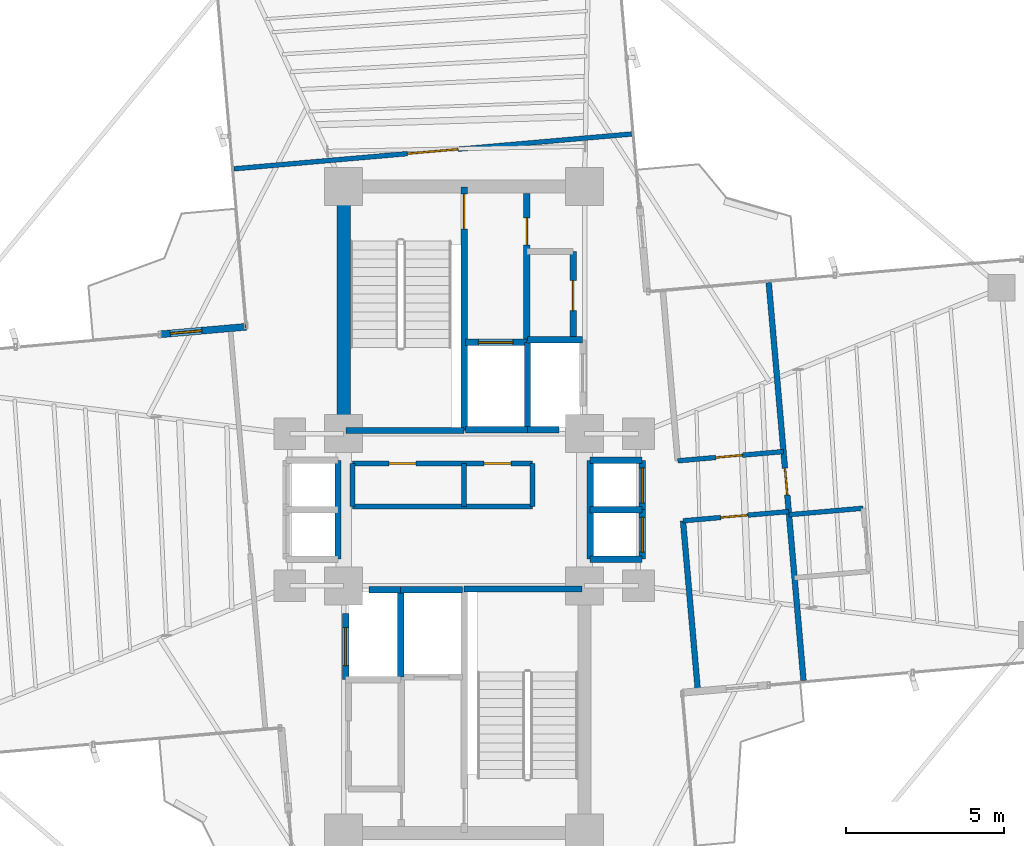
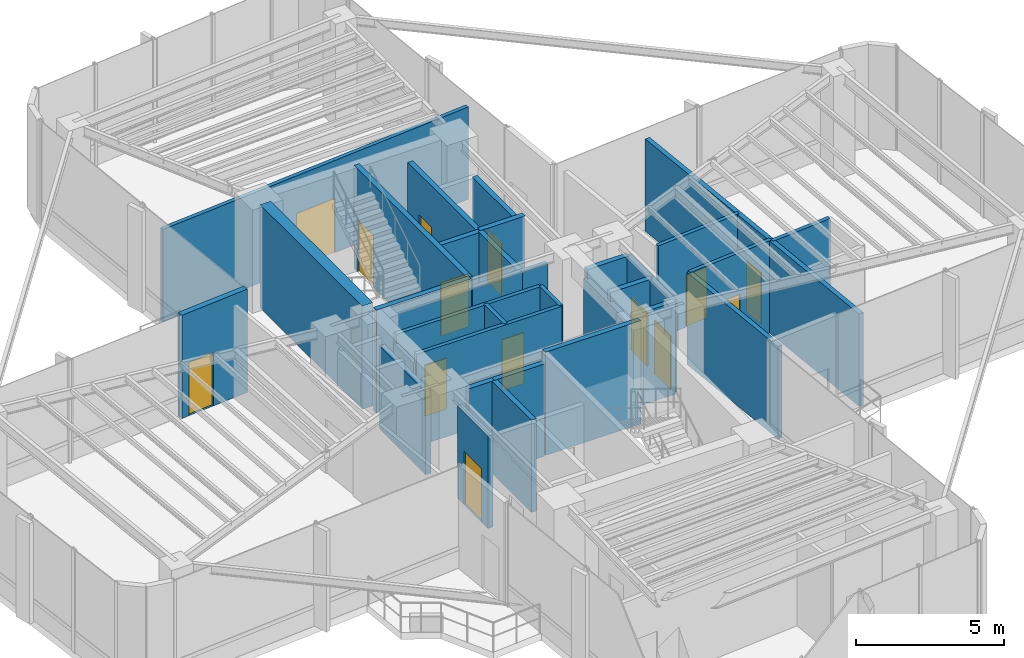
# One storey, part 17 of 19: 34 walls, 14 doors, 14 openings.
"""IFC4 building model written with IfcOpenShell, lengths in metres."""

from ifc_helpers import new_model, si_unit, direction, frame, frame_2d, origin, origin_2d, place, context, subcontext, project, spatial, rectangle, extrude, source, transform, mapped, material, layer, layer_set, type_object, element, fill, save


model = new_model("IFC4")

# Units and contexts
model_context = context("Model", 3, precision=1e-05, world=origin(), true_north=direction((0.0, 1.0)))
body_context = subcontext(model_context, "Body", "Model", "MODEL_VIEW")
ifc_project = project(units=[si_unit("LENGTHUNIT", "METRE"), si_unit("AREAUNIT", "SQUARE_METRE"), si_unit("VOLUMEUNIT", "CUBIC_METRE"), si_unit("PLANEANGLEUNIT", "RADIAN"), si_unit("MASSUNIT", "GRAM", prefix="KILO")], contexts=[model_context])

# Site, building, storey
site_placement = place(None, origin())
site = spatial("IfcSite", under=ifc_project, at=site_placement, CompositionType="ELEMENT")
building_placement = place(site_placement, origin())
building = spatial("IfcBuilding", under=site, at=building_placement, Name="Sahyath Konkavel Grand Hotel", CompositionType="ELEMENT")
storey_placement = place(building_placement, frame((0.0, 0.0, 170.699951171875)))
storey = spatial("IfcBuildingStorey", under=building, at=storey_placement, Name="L47", CompositionType="ELEMENT", Elevation=170.699951171875)

# Wall
ifc_material_1 = material(Name="Concrete C50/60", Category="concrete")
ifc_layer_1 = layer(ifc_material_1, 0.419921875)
ifc_layer_set_1 = layer_set([ifc_layer_1], Name="Concrete C50/60")
wall_type_1 = type_object("IfcWallType", Name="CWALL-420", PredefinedType="SHEAR", material=ifc_layer_set_1)
wall_1_placement = place(storey_placement, frame((-3.800048828125, 2.85009765625, 0.0), z_axis=(0.0, 0.0, 1.0), x_axis=(0.0, 1.0, 0.0)))
element("IfcWall", 1, at=wall_1_placement, inside=storey, type_object=wall_type_1, Name="L47 North Core Shear Wall W", PredefinedType="SHEAR", context=body_context, shape_type="SweptSolid", body=[
    extrude(rectangle(XDim=6.89990234375, YDim=0.419921875, at=frame_2d((3.449951171875, 0.0))), origin(), (0.0, 0.0, 1.0), 4.260009765625),
])

# Wall, opening, door
ifc_material_2 = material(Name="Warm Buff Sandstone Insulated Concrete C40/50", Category="masonry")
ifc_layer_2 = layer(ifc_material_2, 0.219970703125)
ifc_layer_set_2 = layer_set([ifc_layer_2], Name="Warm Buff Sandstone Insulated Concrete C40/50")
wall_type_2 = type_object("IfcWallType", Name="WLL-BALC-THRESH", PredefinedType="STANDARD", material=ifc_layer_set_2)
wall_2_placement = place(storey_placement, frame((-6.87939453125, 5.7724609375, 0.0), z_axis=(0.0, 0.0, 1.0), x_axis=(-0.996193619346, -0.087168071984, 0.0)))
wall_2 = element("IfcWall", 2, at=wall_2_placement, inside=storey, type_object=wall_type_2, Name="L47 Winter-Garden Threshold Wall 16", PredefinedType="STANDARD", context=body_context, shape_type="SweptSolid", body=[
    extrude(rectangle(XDim=2.699951171875, YDim=0.219970703125, at=frame_2d((1.35009765625, 0.0))), origin(), (0.0, 0.0, 1.0), 4.260009765625),
])
opening_1_placement = place(wall_2_placement, frame((1.39990234375, 0.0, 0.0)))
opening_1 = element("IfcOpeningElement", 3, at=opening_1_placement, cuts=wall_2, Name="Opening D-TR1", PredefinedType="OPENING", context=body_context, shape_type="SweptSolid", body=[
    extrude(rectangle(XDim=1.0, YDim=2.199951171875, at=frame_2d((0.5, 1.10009765625))), frame((0.0, 0.1201171875, 0.0), z_axis=(0.0, -1.0, 0.0), x_axis=(1.0, 0.0, 0.0)), (0.0, 0.0, 1.0), 0.239990234375),
])
ifc_material_3 = material(Name="Anodised Bronze Aluminium & Low-E Glazing", Category="aluminium")
door_type_1 = type_object("IfcDoorType", Name="DR-TERRACE-1000", OperationType="NOTDEFINED", PredefinedType="DOOR", material=ifc_material_3)
shared_shape_1 = source(origin(), body_context, "Body", "SweptSolid", [
    extrude(rectangle(XDim=1.0, YDim=0.050048828125, at=origin_2d()), origin(), (0.0, 0.0, 1.0), 2.199951171875),
])
door_1_placement = place(opening_1_placement, frame((0.5, 0.0, 0.0)))
door_1 = element("IfcDoor", 4, at=door_1_placement, inside=storey, type_object=door_type_1, Name="L47 Winter-Garden Terrace Door 16", OperationType="SINGLE_SWING_LEFT", OverallHeight=2.199951171875, OverallWidth=1.0, PredefinedType="DOOR", context=body_context, shape_type="MappedRepresentation", body=[
    mapped(shared_shape_1, transform((0.0, 0.0, 0.0), scale=1.0)),
])
fill(opening_1, door_1)

ifc_material_4 = material(Name="Concrete C40/50", Category="concrete")
ifc_layer_3 = layer(ifc_material_4, 0.199951171875)
ifc_layer_set_3 = layer_set([ifc_layer_3], Name="Concrete C40/50")
wall_type_3 = type_object("IfcWallType", Name="WLL-CORE-200", PredefinedType="SOLIDWALL", material=ifc_layer_set_3)
wall_3_placement = place(storey_placement, frame((0.0, 2.5, 0.0), z_axis=(0.0, 0.0, 1.0), x_axis=(0.0, 1.0, 0.0)))
wall_3 = element("IfcWall", 5, at=wall_3_placement, inside=storey, type_object=wall_type_3, Name="L47 Stair ST-1 Shaft Wall E", PredefinedType="SOLIDWALL", context=body_context, shape_type="SweptSolid", body=[
    extrude(rectangle(XDim=7.679931640625, YDim=0.199951171875, at=frame_2d((3.83984375, 0.0))), origin(), (0.0, 0.0, 1.0), 4.260009765625),
])
opening_2_placement = place(wall_3_placement, frame((6.360107421875, 0.0, 0.0)))
opening_2 = element("IfcOpeningElement", 6, at=opening_2_placement, cuts=wall_3, Name="Opening D-F12B", PredefinedType="OPENING", context=body_context, shape_type="SweptSolid", body=[
    extrude(rectangle(XDim=1.10009765625, YDim=2.14990234375, at=frame_2d((0.550048828125, 1.074951171875))), frame((0.0, 0.10986328125, 0.0), z_axis=(0.0, -1.0, 0.0), x_axis=(1.0, 0.0, 0.0)), (0.0, 0.0, 1.0), 0.219970703125),
])
ifc_material_5 = material(Name="Steel E350 Smokeproof Fire Door", Category="steel")
door_type_2 = type_object("IfcDoorType", Name="DR-FD120-1100", OperationType="NOTDEFINED", PredefinedType="DOOR", material=ifc_material_5)
shared_shape_2 = source(origin(), body_context, "Body", "SweptSolid", [
    extrude(rectangle(XDim=1.10009765625, YDim=0.050048828125, at=origin_2d()), origin(), (0.0, 0.0, 1.0), 2.14990234375),
])
door_2_placement = place(opening_2_placement, frame((0.550048828125, 0.0, 0.0)))
door_2 = element("IfcDoor", 7, at=door_2_placement, inside=storey, type_object=door_type_2, Name="L47 Stair ST-1 Fire Door", OperationType="SINGLE_SWING_LEFT", OverallHeight=2.14990234375, OverallWidth=1.10009765625, PredefinedType="DOOR", context=body_context, shape_type="MappedRepresentation", body=[
    mapped(shared_shape_2, transform((0.0, 0.0, 0.0), scale=1.0)),
])
fill(opening_2, door_2)

# Walls
for number, where, z_axis, x_axis, name in (
    (8, (-3.719970703125, 2.5, 0.0), (0.0, 0.0, 1.0), (1.0, 0.0, 0.0), "L47 Stair ST-1 Shaft Wall S"),
    (9, (0.0, -2.5, 0.0), (0.0, 0.0, 1.0), (1.0, 0.0, 0.0), "L47 Stair ST-2 Shaft Wall N"),
):
    element("IfcWall", number, at=place(storey_placement, frame(where, z_axis=z_axis, x_axis=x_axis)), inside=storey, type_object=wall_type_3, Name=name, PredefinedType="SOLIDWALL", context=body_context, shape_type="SweptSolid", body=[
        extrude(rectangle(XDim=3.719970703125, YDim=0.199951171875, at=frame_2d((1.85986328125, 0.0))), origin(), (0.0, 0.0, 1.0), 4.260009765625),
    ])

# Wall, opening, door
wall_4_placement = place(storey_placement, frame((1.97998046875, 5.320068359375, 0.0), z_axis=(0.0, 0.0, 1.0), x_axis=(0.0, 1.0, 0.0)))
wall_4 = element("IfcWall", 10, at=wall_4_placement, inside=storey, type_object=wall_type_3, Name="L47 North Firefighting Lobby Wall E", PredefinedType="SOLIDWALL", context=body_context, shape_type="SweptSolid", body=[
    extrude(rectangle(XDim=4.659912109375, YDim=0.199951171875, at=frame_2d((2.330078125, 0.0))), origin(), (0.0, 0.0, 1.0), 3.81005859375),
])
opening_3_placement = place(wall_4_placement, frame((3.0400390625, 0.0, 0.0)))
opening_3 = element("IfcOpeningElement", 11, at=opening_3_placement, cuts=wall_4, Name="Opening D-F12D", PredefinedType="OPENING", context=body_context, shape_type="SweptSolid", body=[
    extrude(rectangle(XDim=0.85009765625, YDim=2.10009765625, at=frame_2d((0.425048828125, 1.050048828125))), frame((0.0, 0.10986328125, 0.0), z_axis=(0.0, -1.0, 0.0), x_axis=(1.0, 0.0, 0.0)), (0.0, 0.0, 1.0), 0.219970703125),
])
ifc_material_6 = material(Name="Steel E350 Core Fire Door", Category="steel")
door_type_3 = type_object("IfcDoorType", Name="DR-FD120-850", OperationType="NOTDEFINED", PredefinedType="DOOR", material=ifc_material_6)
shared_shape_3 = source(origin(), body_context, "Body", "SweptSolid", [
    extrude(rectangle(XDim=0.85009765625, YDim=0.050048828125, at=origin_2d()), origin(), (0.0, 0.0, 1.0), 2.10009765625),
])
door_3_placement = place(opening_3_placement, frame((0.425048828125, 0.0, 0.0)))
door_3 = element("IfcDoor", 12, at=door_3_placement, inside=storey, type_object=door_type_3, Name="L47 North Firefighting Lobby Door", OperationType="SINGLE_SWING_LEFT", OverallHeight=2.10009765625, OverallWidth=0.85009765625, PredefinedType="DOOR", context=body_context, shape_type="MappedRepresentation", body=[
    mapped(shared_shape_3, transform((0.0, 0.0, 0.0), scale=1.0)),
])
fill(opening_3, door_3)

# Walls
wall_5_placement = place(storey_placement, frame((2.0, 2.5, 0.0), z_axis=(0.0, 0.0, 1.0), x_axis=(0.0, 1.0, 0.0)))
element("IfcWall", 13, at=wall_5_placement, inside=storey, type_object=wall_type_3, Name="L47 Partition SH-FFL1-E", PredefinedType="SOLIDWALL", context=body_context, shape_type="SweptSolid", body=[
    extrude(rectangle(XDim=2.780029296875, YDim=0.199951171875, at=frame_2d((1.39013671875, 0.0))), origin(), (0.0, 0.0, 1.0), 3.81005859375),
])
wall_6_placement = place(storey_placement, frame((0.050048828125, 2.52001953125, 0.0), z_axis=(0.0, 0.0, 1.0), x_axis=(1.0, 0.0, 0.0)))
element("IfcWall", 14, at=wall_6_placement, inside=storey, type_object=wall_type_3, Name="L47 Partition SH-FFL1-S", PredefinedType="SOLIDWALL", context=body_context, shape_type="SweptSolid", body=[
    extrude(rectangle(XDim=1.949951171875, YDim=0.199951171875, at=frame_2d((0.97509765625, 0.0))), origin(), (0.0, 0.0, 1.0), 3.81005859375),
])

# Wall, opening, door
wall_7_placement = place(storey_placement, frame((0.050048828125, 5.280029296875, 0.0), z_axis=(0.0, 0.0, 1.0), x_axis=(1.0, 0.0, 0.0)))
wall_7 = element("IfcWall", 15, at=wall_7_placement, inside=storey, type_object=wall_type_3, Name="L47 Partition SH-FFL1-N", PredefinedType="SOLIDWALL", context=body_context, shape_type="SweptSolid", body=[
    extrude(rectangle(XDim=1.929931640625, YDim=0.199951171875, at=frame_2d((0.96484375, 0.0))), origin(), (0.0, 0.0, 1.0), 3.81005859375),
])
opening_4_placement = place(wall_7_placement, frame((0.39990234375, 0.0, 0.0)))
opening_4 = element("IfcOpeningElement", 16, at=opening_4_placement, cuts=wall_7, Name="Opening LD-11", PredefinedType="OPENING", context=body_context, shape_type="SweptSolid", body=[
    extrude(rectangle(XDim=1.10009765625, YDim=2.199951171875, at=frame_2d((0.550048828125, 1.10009765625))), frame((0.0, 0.10986328125, 0.0), z_axis=(0.0, -1.0, 0.0), x_axis=(1.0, 0.0, 0.0)), (0.0, 0.0, 1.0), 0.219970703125),
])
ifc_material_7 = material(Name="Bronze Lift Landing Door 1100")
door_type_4 = type_object("IfcDoorType", Name="DR-LIFT-1100", OperationType="DOUBLE_DOOR_SLIDING", PredefinedType="DOOR", material=ifc_material_7)
shared_shape_4 = source(origin(), body_context, "Body", "SweptSolid", [
    extrude(rectangle(XDim=1.10009765625, YDim=0.050048828125, at=origin_2d()), origin(), (0.0, 0.0, 1.0), 2.199951171875),
])
door_4_placement = place(opening_4_placement, frame((0.550048828125, 0.0, 0.0)))
door_4 = element("IfcDoor", 17, at=door_4_placement, inside=storey, type_object=door_type_4, Name="L47 Lift FFL-1 Landing Door", OperationType="DOUBLE_DOOR_SLIDING", OverallHeight=2.199951171875, OverallWidth=1.10009765625, PredefinedType="DOOR", context=body_context, shape_type="MappedRepresentation", body=[
    mapped(shared_shape_4, transform((0.0, 0.0, 0.0), scale=1.0)),
])
fill(opening_4, door_4)

# Walls
wall_8_placement = place(storey_placement, frame((-2.0, -5.280029296875, 0.0), z_axis=(0.0, 0.0, 1.0), x_axis=(0.0, 1.0, 0.0)))
element("IfcWall", 18, at=wall_8_placement, inside=storey, type_object=wall_type_3, Name="L47 Partition SH-FFL2-W", PredefinedType="SOLIDWALL", context=body_context, shape_type="SweptSolid", body=[
    extrude(rectangle(XDim=2.780029296875, YDim=0.199951171875, at=frame_2d((1.39013671875, 0.0))), origin(), (0.0, 0.0, 1.0), 3.81005859375),
])
wall_9_placement = place(storey_placement, frame((-2.0, -2.52001953125, 0.0), z_axis=(0.0, 0.0, 1.0), x_axis=(1.0, 0.0, 0.0)))
element("IfcWall", 19, at=wall_9_placement, inside=storey, type_object=wall_type_3, Name="L47 Partition SH-FFL2-N", PredefinedType="SOLIDWALL", context=body_context, shape_type="SweptSolid", body=[
    extrude(rectangle(XDim=1.949951171875, YDim=0.199951171875, at=frame_2d((0.97509765625, 0.0))), origin(), (0.0, 0.0, 1.0), 3.81005859375),
])
wall_10_placement = place(storey_placement, frame((2.0, 2.52001953125, 0.0), z_axis=(0.0, 0.0, 1.0), x_axis=(1.0, 0.0, 0.0)))
element("IfcWall", 20, at=wall_10_placement, inside=storey, type_object=wall_type_3, Name="L47 Partition SH-SVL1-S", PredefinedType="SOLIDWALL", context=body_context, shape_type="SweptSolid", body=[
    extrude(rectangle(XDim=1.0, YDim=0.199951171875, at=frame_2d((0.5, 0.0))), origin(), (0.0, 0.0, 1.0), 3.81005859375),
])
wall_11_placement = place(storey_placement, frame((2.0, 5.360107421875, 0.0), z_axis=(0.0, 0.0, 1.0), x_axis=(1.0, 0.0, 0.0)))
element("IfcWall", 21, at=wall_11_placement, inside=storey, type_object=wall_type_3, Name="L47 Partition SH-SVL1-N", PredefinedType="SOLIDWALL", context=body_context, shape_type="SweptSolid", body=[
    extrude(rectangle(XDim=1.739990234375, YDim=0.199951171875, at=frame_2d((0.8701171875, 0.0))), origin(), (0.0, 0.0, 1.0), 3.81005859375),
])
wall_12_placement = place(storey_placement, frame((-3.0, -2.52001953125, 0.0), z_axis=(0.0, 0.0, 1.0), x_axis=(1.0, 0.0, 0.0)))
element("IfcWall", 22, at=wall_12_placement, inside=storey, type_object=wall_type_3, Name="L47 Partition SH-SVL2-N", PredefinedType="SOLIDWALL", context=body_context, shape_type="SweptSolid", body=[
    extrude(rectangle(XDim=1.0, YDim=0.199951171875, at=frame_2d((0.5, 0.0))), origin(), (0.0, 0.0, 1.0), 3.81005859375),
])

# Wall, opening, door
wall_13_placement = place(storey_placement, frame((-3.739990234375, -5.360107421875, 0.0), z_axis=(0.0, 0.0, 1.0), x_axis=(0.0, 1.0, 0.0)))
wall_13 = element("IfcWall", 23, at=wall_13_placement, inside=storey, type_object=wall_type_3, Name="L47 Partition SH-SVL2-W", PredefinedType="SOLIDWALL", context=body_context, shape_type="SweptSolid", body=[
    extrude(rectangle(XDim=2.080078125, YDim=0.199951171875, at=frame_2d((1.0400390625, 0.0))), origin(), (0.0, 0.0, 1.0), 3.81005859375),
])
opening_5_placement = place(wall_13_placement, frame((0.43994140625, 0.0, 0.0)))
opening_5 = element("IfcOpeningElement", 24, at=opening_5_placement, cuts=wall_13, Name="Opening LD-12", PredefinedType="OPENING", context=body_context, shape_type="SweptSolid", body=[
    extrude(rectangle(XDim=1.199951171875, YDim=2.199951171875, at=frame_2d((0.60009765625, 1.10009765625))), frame((0.0, 0.10986328125, 0.0), z_axis=(0.0, -1.0, 0.0), x_axis=(1.0, 0.0, 0.0)), (0.0, 0.0, 1.0), 0.219970703125),
])
ifc_material_8 = material(Name="Stainless Steel Lift Landing Door 1200", Category="steel")
door_type_5 = type_object("IfcDoorType", Name="DR-LIFT-1200", OperationType="DOUBLE_DOOR_SLIDING", PredefinedType="DOOR", material=ifc_material_8)
shared_shape_5 = source(origin(), body_context, "Body", "SweptSolid", [
    extrude(rectangle(XDim=1.199951171875, YDim=0.050048828125, at=origin_2d()), origin(), (0.0, 0.0, 1.0), 2.199951171875),
])
door_5_placement = place(opening_5_placement, frame((0.60009765625, 0.0, 0.0)))
door_5 = element("IfcDoor", 25, at=door_5_placement, inside=storey, type_object=door_type_5, Name="L47 Service Lift SVL-2 Landing Door", OperationType="DOUBLE_DOOR_SLIDING", OverallHeight=2.199951171875, OverallWidth=1.199951171875, PredefinedType="DOOR", context=body_context, shape_type="MappedRepresentation", body=[
    mapped(shared_shape_5, transform((0.0, 0.0, 0.0), scale=1.0)),
])
fill(opening_5, door_5)

# Walls
wall_14_placement = place(storey_placement, frame((3.97998046875, -1.56005859375, 0.0), z_axis=(0.0, 0.0, 1.0), x_axis=(0.0, 1.0, 0.0)))
element("IfcWall", 26, at=wall_14_placement, inside=storey, type_object=wall_type_3, Name="L47 Partition SH-PL56-W", PredefinedType="SOLIDWALL", context=body_context, shape_type="SweptSolid", body=[
    extrude(rectangle(XDim=3.1201171875, YDim=0.199951171875, at=frame_2d((1.56005859375, 0.0))), origin(), (0.0, 0.0, 1.0), 3.429931640625),
])
for number, where, z_axis, x_axis, name in (
    (27, (3.97998046875, 1.56005859375, 0.0), (0.0, 0.0, 1.0), (1.0, 0.0, 0.0), "L47 Partition SH-PL56-N"),
    (28, (3.97998046875, -1.56005859375, 0.0), (0.0, 0.0, 1.0), (1.0, 0.0, 0.0), "L47 Partition SH-PL56-S"),
    (29, (3.97998046875, 0.0, 0.0), (0.0, 0.0, 1.0), (1.0, 0.0, 0.0), "L47 Partition SH-PL56-M"),
):
    element("IfcWall", number, at=place(storey_placement, frame(where, z_axis=z_axis, x_axis=x_axis)), inside=storey, type_object=wall_type_3, Name=name, PredefinedType="SOLIDWALL", context=body_context, shape_type="SweptSolid", body=[
        extrude(rectangle(XDim=1.64013671875, YDim=0.199951171875, at=frame_2d((0.820068359375, 0.0))), origin(), (0.0, 0.0, 1.0), 3.81005859375),
    ])

# Wall, opening, door
wall_15_placement = place(storey_placement, frame((5.6201171875, 0.0, 0.0), z_axis=(0.0, 0.0, 1.0), x_axis=(0.0, 1.0, 0.0)))
wall_15 = element("IfcWall", 30, at=wall_15_placement, inside=storey, type_object=wall_type_3, Name="L47 Partition SH-PL5-E", PredefinedType="SOLIDWALL", context=body_context, shape_type="SweptSolid", body=[
    extrude(rectangle(XDim=1.56005859375, YDim=0.199951171875, at=frame_2d((0.780029296875, 0.0))), origin(), (0.0, 0.0, 1.0), 3.81005859375),
])
opening_6_placement = place(wall_15_placement, frame((0.219970703125, 0.0, 0.0)))
opening_6 = element("IfcOpeningElement", 31, at=opening_6_placement, cuts=wall_15, Name="Opening LD-11", PredefinedType="OPENING", context=body_context, shape_type="SweptSolid", body=[
    extrude(rectangle(XDim=1.10009765625, YDim=2.199951171875, at=frame_2d((0.550048828125, 1.10009765625))), frame((0.0, 0.10986328125, 0.0), z_axis=(0.0, -1.0, 0.0), x_axis=(1.0, 0.0, 0.0)), (0.0, 0.0, 1.0), 0.219970703125),
])
door_6_placement = place(opening_6_placement, frame((0.550048828125, 0.0, 0.0)))
door_6 = element("IfcDoor", 32, at=door_6_placement, inside=storey, type_object=door_type_4, Name="L47 High-Rise Lift PL-5 Landing Door", OperationType="DOUBLE_DOOR_SLIDING", OverallHeight=2.199951171875, OverallWidth=1.10009765625, PredefinedType="DOOR", context=body_context, shape_type="MappedRepresentation", body=[
    mapped(shared_shape_4, transform((0.0, 0.0, 0.0), scale=1.0)),
])
fill(opening_6, door_6)

wall_16_placement = place(storey_placement, frame((5.6201171875, -1.56005859375, 0.0), z_axis=(0.0, 0.0, 1.0), x_axis=(0.0, 1.0, 0.0)))
wall_16 = element("IfcWall", 33, at=wall_16_placement, inside=storey, type_object=wall_type_3, Name="L47 Partition SH-PL6-E", PredefinedType="SOLIDWALL", context=body_context, shape_type="SweptSolid", body=[
    extrude(rectangle(XDim=1.56005859375, YDim=0.199951171875, at=frame_2d((0.780029296875, 0.0))), origin(), (0.0, 0.0, 1.0), 3.81005859375),
])
opening_7_placement = place(wall_16_placement, frame((0.219970703125, 0.0, 0.0)))
opening_7 = element("IfcOpeningElement", 34, at=opening_7_placement, cuts=wall_16, Name="Opening LD-11", PredefinedType="OPENING", context=body_context, shape_type="SweptSolid", body=[
    extrude(rectangle(XDim=1.10009765625, YDim=2.199951171875, at=frame_2d((0.550048828125, 1.10009765625))), frame((0.0, 0.10986328125, 0.0), z_axis=(0.0, -1.0, 0.0), x_axis=(1.0, 0.0, 0.0)), (0.0, 0.0, 1.0), 0.219970703125),
])
door_7_placement = place(opening_7_placement, frame((0.550048828125, 0.0, 0.0)))
door_7 = element("IfcDoor", 35, at=door_7_placement, inside=storey, type_object=door_type_4, Name="L47 High-Rise Lift PL-6 Landing Door", OperationType="DOUBLE_DOOR_SLIDING", OverallHeight=2.199951171875, OverallWidth=1.10009765625, PredefinedType="DOOR", context=body_context, shape_type="MappedRepresentation", body=[
    mapped(shared_shape_4, transform((0.0, 0.0, 0.0), scale=1.0)),
])
fill(opening_7, door_7)

# Wall
wall_17_placement = place(storey_placement, frame((-3.97998046875, -1.56005859375, 0.0), z_axis=(0.0, 0.0, 1.0), x_axis=(0.0, 1.0, 0.0)))
element("IfcWall", 36, at=wall_17_placement, inside=storey, type_object=wall_type_3, Name="L47 Partition SH-SL12-E", PredefinedType="SOLIDWALL", context=body_context, shape_type="SweptSolid", body=[
    extrude(rectangle(XDim=3.1201171875, YDim=0.199951171875, at=frame_2d((1.56005859375, 0.0))), origin(), (0.0, 0.0, 1.0), 3.429931640625),
])

# Wall, opening, door
wall_18_placement = place(storey_placement, frame((3.43994140625, 5.3798828125, 0.0), z_axis=(0.0, 0.0, 1.0), x_axis=(0.0, 1.0, 0.0)))
wall_18 = element("IfcWall", 37, at=wall_18_placement, inside=storey, type_object=wall_type_3, Name="L47 Reclaimed North Core Wall E", PredefinedType="SOLIDWALL", context=body_context, shape_type="SweptSolid", body=[
    extrude(rectangle(XDim=2.77001953125, YDim=0.199951171875, at=frame_2d((1.385009765625, 0.0))), origin(), (0.0, 0.0, 1.0), 3.81005859375),
])
opening_8_placement = place(wall_18_placement, frame((0.89990234375, 0.0, 0.0)))
opening_8 = element("IfcOpeningElement", 38, at=opening_8_placement, cuts=wall_18, Name="Opening D-F06B", PredefinedType="OPENING", context=body_context, shape_type="SweptSolid", body=[
    extrude(rectangle(XDim=0.949951171875, YDim=2.14990234375, at=frame_2d((0.47509765625, 1.074951171875))), frame((0.0, 0.10986328125, 0.0), z_axis=(0.0, -1.0, 0.0), x_axis=(1.0, 0.0, 0.0)), (0.0, 0.0, 1.0), 0.219970703125),
])
ifc_material_9 = material(Name="Teak Veneer Fire-Rated Guest Entrance Door")
door_type_6 = type_object("IfcDoorType", Name="DR-FD60-950", OperationType="NOTDEFINED", PredefinedType="DOOR", material=ifc_material_9)
shared_shape_6 = source(origin(), body_context, "Body", "SweptSolid", [
    extrude(rectangle(XDim=0.949951171875, YDim=0.050048828125, at=origin_2d()), origin(), (0.0, 0.0, 1.0), 2.14990234375),
])
door_8_placement = place(opening_8_placement, frame((0.47509765625, 0.0, 0.0)))
door_8 = element("IfcDoor", 39, at=door_8_placement, inside=storey, type_object=door_type_6, Name="L47 Door NC-REC1-D", OperationType="SINGLE_SWING_LEFT", OverallHeight=2.14990234375, OverallWidth=0.949951171875, PredefinedType="DOOR", context=body_context, shape_type="MappedRepresentation", body=[
    mapped(shared_shape_6, transform((0.0, 0.0, 0.0), scale=1.0)),
])
fill(opening_8, door_8)

# Wall
ifc_material_10 = material(Name="Twin-Stud Acoustic Gypsum Plasterboard Partition")
ifc_layer_4 = layer(ifc_material_10, 0.179931640625)
ifc_layer_set_4 = layer_set([ifc_layer_4], Name="Twin-Stud Acoustic Gypsum Plasterboard Partition")
wall_type_4 = type_object("IfcWallType", Name="WLL-DEMISE-180", PredefinedType="PARTITIONING", material=ifc_layer_set_4)
wall_19_placement = place(storey_placement, frame((7.373046875, -5.678955078125, 0.0), z_axis=(0.0, 0.0, 1.0), x_axis=(-0.087161289348, 0.996194212812, 0.0)))
element("IfcWall", 40, at=wall_19_placement, inside=storey, type_object=wall_type_4, Name="L47 Partition E-INR", PredefinedType="PARTITIONING", context=body_context, shape_type="SweptSolid", body=[
    extrude(rectangle(XDim=5.349853515625, YDim=0.179931640625, at=frame_2d((2.6748046875, 0.0))), origin(), (0.0, 0.0, 1.0), 3.81005859375),
])

# Wall, opening, door
wall_20_placement = place(storey_placement, frame((10.710205078125, -5.386962890625, 0.0), z_axis=(0.0, 0.0, 1.0), x_axis=(-0.087154691724, 0.996194790044, 0.0)))
wall_20 = element("IfcWall", 41, at=wall_20_placement, inside=storey, type_object=wall_type_4, Name="L47 Partition E-ETIP-END", PredefinedType="PARTITIONING", context=body_context, shape_type="SweptSolid", body=[
    extrude(rectangle(XDim=12.599853515625, YDim=0.179931640625, at=frame_2d((6.2998046875, 0.0))), origin(), (0.0, 0.0, 1.0), 3.81005859375),
])
opening_9_placement = place(wall_20_placement, frame((5.875, 0.0, 0.0)))
opening_9 = element("IfcOpeningElement", 42, at=opening_9_placement, cuts=wall_20, Name="Opening D-F06D", PredefinedType="OPENING", context=body_context, shape_type="SweptSolid", body=[
    extrude(rectangle(XDim=0.85009765625, YDim=2.10009765625, at=frame_2d((0.425048828125, 1.050048828125))), frame((0.0, 0.10009765625, 0.0), z_axis=(0.0, -1.0, 0.0), x_axis=(1.0, 0.0, 0.0)), (0.0, 0.0, 1.0), 0.199951171875),
])
ifc_material_11 = material(Name="Fire-Rated Shaft Access Door")
door_type_7 = type_object("IfcDoorType", Name="DR-FD60-850", OperationType="NOTDEFINED", PredefinedType="DOOR", material=ifc_material_11)
door_9_placement = place(opening_9_placement, frame((0.425048828125, 0.0, 0.0)))
door_9 = element("IfcDoor", 43, at=door_9_placement, inside=storey, type_object=door_type_7, Name="L47 Door E-ETIP-ED", OperationType="SINGLE_SWING_RIGHT", OverallHeight=2.10009765625, OverallWidth=0.85009765625, PredefinedType="DOOR", context=body_context, shape_type="MappedRepresentation", body=[
    mapped(shared_shape_3, transform((0.0, 0.0, 0.0), scale=1.0)),
])
fill(opening_9, door_9)

# Wall
ifc_material_12 = material(Name="Fire-Rated Gypsum Plasterboard Partition")
ifc_layer_5 = layer(ifc_material_12, 0.14990234375)
ifc_layer_set_5 = layer_set([ifc_layer_5], Name="Fire-Rated Gypsum Plasterboard Partition")
wall_type_5 = type_object("IfcWallType", Name="WLL-PART-150", PredefinedType="PARTITIONING", material=ifc_layer_set_5)
wall_21_placement = place(storey_placement, frame((-3.52001953125, 0.10009765625, 0.0), z_axis=(0.0, 0.0, 1.0), x_axis=(1.0, 0.0, 0.0)))
element("IfcWall", 44, at=wall_21_placement, inside=storey, type_object=wall_type_5, Name="L47 Partition CC-S0-FIX", PredefinedType="PARTITIONING", context=body_context, shape_type="SweptSolid", body=[
    extrude(rectangle(XDim=5.679931640625, YDim=0.14990234375, at=frame_2d((2.83984375, 0.0))), origin(), (0.0, 0.0, 1.0), 3.81005859375),
])

# Wall, openings, doors
wall_22_placement = place(storey_placement, frame((-3.52001953125, 1.4599609375, 0.0), z_axis=(0.0, 0.0, 1.0), x_axis=(1.0, 0.0, 0.0)))
wall_22 = element("IfcWall", 45, at=wall_22_placement, inside=storey, type_object=wall_type_5, Name="L47 Partition CC-N0", PredefinedType="PARTITIONING", context=body_context, shape_type="SweptSolid", body=[
    extrude(rectangle(XDim=5.679931640625, YDim=0.14990234375, at=frame_2d((2.83984375, 0.0))), origin(), (0.0, 0.0, 1.0), 3.81005859375),
])
opening_10_placement = place(wall_22_placement, frame((1.14990234375, 0.0, 0.0)))
opening_10 = element("IfcOpeningElement", 46, at=opening_10_placement, cuts=wall_22, Name="Opening D-F06D", PredefinedType="OPENING", context=body_context, shape_type="SweptSolid", body=[
    extrude(rectangle(XDim=0.85009765625, YDim=2.10009765625, at=frame_2d((0.425048828125, 1.050048828125))), frame((0.0, 0.0849609375, 0.0), z_axis=(0.0, -1.0, 0.0), x_axis=(1.0, 0.0, 0.0)), (0.0, 0.0, 1.0), 0.169921875),
])
opening_11_placement = place(wall_22_placement, frame((4.14990234375, 0.0, 0.0)))
opening_11 = element("IfcOpeningElement", 47, at=opening_11_placement, cuts=wall_22, Name="Opening D-F06D", PredefinedType="OPENING", context=body_context, shape_type="SweptSolid", body=[
    extrude(rectangle(XDim=0.85009765625, YDim=2.10009765625, at=frame_2d((0.425048828125, 1.050048828125))), frame((0.0, 0.0849609375, 0.0), z_axis=(0.0, -1.0, 0.0), x_axis=(1.0, 0.0, 0.0)), (0.0, 0.0, 1.0), 0.169921875),
])
door_10_placement = place(opening_10_placement, frame((0.425048828125, 0.0, 0.0)))
door_10 = element("IfcDoor", 48, at=door_10_placement, inside=storey, type_object=door_type_7, Name="L47 Door CC-D0A", OperationType="SINGLE_SWING_LEFT", OverallHeight=2.10009765625, OverallWidth=0.85009765625, PredefinedType="DOOR", context=body_context, shape_type="MappedRepresentation", body=[
    mapped(shared_shape_3, transform((0.0, 0.0, 0.0), scale=1.0)),
])
fill(opening_10, door_10)
door_11_placement = place(opening_11_placement, frame((0.425048828125, 0.0, 0.0)))
door_11 = element("IfcDoor", 49, at=door_11_placement, inside=storey, type_object=door_type_7, Name="L47 Door CC-D0B", OperationType="SINGLE_SWING_RIGHT", OverallHeight=2.10009765625, OverallWidth=0.85009765625, PredefinedType="DOOR", context=body_context, shape_type="MappedRepresentation", body=[
    mapped(shared_shape_3, transform((0.0, 0.0, 0.0), scale=1.0)),
])
fill(opening_11, door_11)

# Walls
wall_23_placement = place(storey_placement, frame((-3.52001953125, 0.10009765625, 0.0), z_axis=(0.0, 0.0, 1.0), x_axis=(0.0, 1.0, 0.0)))
element("IfcWall", 50, at=wall_23_placement, inside=storey, type_object=wall_type_5, Name="L47 Partition CC-W0", PredefinedType="PARTITIONING", context=body_context, shape_type="SweptSolid", body=[
    extrude(rectangle(XDim=1.35986328125, YDim=0.14990234375, at=frame_2d((0.679931640625, 0.0))), origin(), (0.0, 0.0, 1.0), 3.429931640625),
])
for number, where, z_axis, x_axis, name in (
    (51, (2.159912109375, 0.10009765625, 0.0), (0.0, 0.0, 1.0), (0.0, 1.0, 0.0), "L47 Partition CC-E0"),
    (52, (0.0, 0.10009765625, 0.0), (0.0, 0.0, 1.0), (0.0, 1.0, 0.0), "L47 Partition CC-M0"),
):
    element("IfcWall", number, at=place(storey_placement, frame(where, z_axis=z_axis, x_axis=x_axis)), inside=storey, type_object=wall_type_5, Name=name, PredefinedType="PARTITIONING", context=body_context, shape_type="SweptSolid", body=[
        extrude(rectangle(XDim=1.35986328125, YDim=0.14990234375, at=frame_2d((0.679931640625, 0.0))), origin(), (0.0, 0.0, 1.0), 3.81005859375),
    ])

# Wall, opening, door
wall_24_placement = place(storey_placement, frame((6.7412109375, 1.54345703125, 0.0), z_axis=(0.0, 0.0, 1.0), x_axis=(0.996193954812, 0.087164238054, 0.0)))
wall_24 = element("IfcWall", 53, at=wall_24_placement, inside=storey, type_object=wall_type_5, Name="L47 Partition E-CL", PredefinedType="PARTITIONING", context=body_context, shape_type="SweptSolid", body=[
    extrude(rectangle(XDim=3.349853515625, YDim=0.14990234375, at=frame_2d((1.6748046875, 0.0))), origin(), (0.0, 0.0, 1.0), 3.81005859375),
])
opening_12_placement = place(wall_24_placement, frame((1.199951171875, 0.0, 0.0)))
opening_12 = element("IfcOpeningElement", 54, at=opening_12_placement, cuts=wall_24, Name="Opening D-F06D", PredefinedType="OPENING", context=body_context, shape_type="SweptSolid", body=[
    extrude(rectangle(XDim=0.85009765625, YDim=2.10009765625, at=frame_2d((0.425048828125, 1.050048828125))), frame((0.0, 0.0849609375, 0.0), z_axis=(0.0, -1.0, 0.0), x_axis=(1.0, 0.0, 0.0)), (0.0, 0.0, 1.0), 0.169921875),
])
door_12_placement = place(opening_12_placement, frame((0.425048828125, 0.0, 0.0)))
door_12 = element("IfcDoor", 55, at=door_12_placement, inside=storey, type_object=door_type_7, Name="L47 Door E-ES3L-D", OperationType="SINGLE_SWING_LEFT", OverallHeight=2.10009765625, OverallWidth=0.85009765625, PredefinedType="DOOR", context=body_context, shape_type="MappedRepresentation", body=[
    mapped(shared_shape_3, transform((0.0, 0.0, 0.0), scale=1.0)),
])
fill(opening_12, door_12)

wall_25_placement = place(storey_placement, frame((6.90673828125, -0.349365234375, 0.0), z_axis=(0.0, 0.0, 1.0), x_axis=(0.996193954812, 0.087164238054, 0.0)))
wall_25 = element("IfcWall", 56, at=wall_25_placement, inside=storey, type_object=wall_type_5, Name="L47 Partition E-CR", PredefinedType="PARTITIONING", context=body_context, shape_type="SweptSolid", body=[
    extrude(rectangle(XDim=3.349853515625, YDim=0.14990234375, at=frame_2d((1.6748046875, 0.0))), origin(), (0.0, 0.0, 1.0), 3.81005859375),
])
opening_13_placement = place(wall_25_placement, frame((1.199951171875, 0.0, 0.0)))
opening_13 = element("IfcOpeningElement", 57, at=opening_13_placement, cuts=wall_25, Name="Opening D-F06D", PredefinedType="OPENING", context=body_context, shape_type="SweptSolid", body=[
    extrude(rectangle(XDim=0.85009765625, YDim=2.10009765625, at=frame_2d((0.425048828125, 1.050048828125))), frame((0.0, 0.0849609375, 0.0), z_axis=(0.0, -1.0, 0.0), x_axis=(1.0, 0.0, 0.0)), (0.0, 0.0, 1.0), 0.169921875),
])
door_13_placement = place(opening_13_placement, frame((0.425048828125, 0.0, 0.0)))
door_13 = element("IfcDoor", 58, at=door_13_placement, inside=storey, type_object=door_type_7, Name="L47 Door E-ES3R-D", OperationType="SINGLE_SWING_RIGHT", OverallHeight=2.10009765625, OverallWidth=0.85009765625, PredefinedType="DOOR", context=body_context, shape_type="MappedRepresentation", body=[
    mapped(shared_shape_3, transform((0.0, 0.0, 0.0), scale=1.0)),
])
fill(opening_13, door_13)

# Wall
wall_26_placement = place(storey_placement, frame((10.252685546875, -0.156982421875, 0.0), z_axis=(0.0, 0.0, 1.0), x_axis=(0.996194055785, 0.087163084034, 0.0)))
element("IfcWall", 59, at=wall_26_placement, inside=storey, type_object=wall_type_5, Name="L47 Partition E-ETIP-BN", PredefinedType="PARTITIONING", context=body_context, shape_type="SweptSolid", body=[
    extrude(rectangle(XDim=2.35009765625, YDim=0.14990234375, at=frame_2d((1.175048828125, 0.0))), origin(), (0.0, 0.0, 1.0), 3.81005859375),
])

# Wall, opening, door
wall_27_placement = place(storey_placement, frame((5.286865234375, 11.85595703125, 0.0), z_axis=(0.0, 0.0, 1.0), x_axis=(-0.996194790044, -0.087154691724, 0.0)))
wall_27 = element("IfcWall", 60, at=wall_27_placement, inside=storey, type_object=wall_type_5, Name="L47 Partition N-SAL-IN", PredefinedType="PARTITIONING", context=body_context, shape_type="SweptSolid", body=[
    extrude(rectangle(XDim=12.599853515625, YDim=0.14990234375, at=frame_2d((6.2998046875, 0.0))), origin(), (0.0, 0.0, 1.0), 3.81005859375),
])
opening_14_placement = place(wall_27_placement, frame((5.5, 0.0, 0.0)))
opening_14 = element("IfcOpeningElement", 61, at=opening_14_placement, cuts=wall_27, Name="Opening D-DB16", PredefinedType="OPENING", context=body_context, shape_type="SweptSolid", body=[
    extrude(rectangle(XDim=1.60009765625, YDim=2.25, at=frame_2d((0.800048828125, 1.125))), frame((0.0, 0.0849609375, 0.0), z_axis=(0.0, -1.0, 0.0), x_axis=(1.0, 0.0, 0.0)), (0.0, 0.0, 1.0), 0.169921875),
])
ifc_material_13 = material(Name="Double Leaf Lounge Glazed Timber Door", Category="wood")
door_type_8 = type_object("IfcDoorType", Name="DR-DBL-1600", OperationType="DOUBLE_DOOR_SINGLE_SWING", PredefinedType="DOOR", material=ifc_material_13)
shared_shape_7 = source(origin(), body_context, "Body", "SweptSolid", [
    extrude(rectangle(XDim=1.60009765625, YDim=0.050048828125, at=origin_2d()), origin(), (0.0, 0.0, 1.0), 2.25),
])
door_14_placement = place(opening_14_placement, frame((0.800048828125, 0.0, 0.0)))
door_14 = element("IfcDoor", 62, at=door_14_placement, inside=storey, type_object=door_type_8, Name="L47 Door N-SAL-D", OperationType="DOUBLE_DOOR_SINGLE_SWING", OverallHeight=2.25, OverallWidth=1.60009765625, PredefinedType="DOOR", context=body_context, shape_type="MappedRepresentation", body=[
    mapped(shared_shape_7, transform((0.0, 0.0, 0.0), scale=1.0)),
])
fill(opening_14, door_14)

save(model, "model.ifc")
